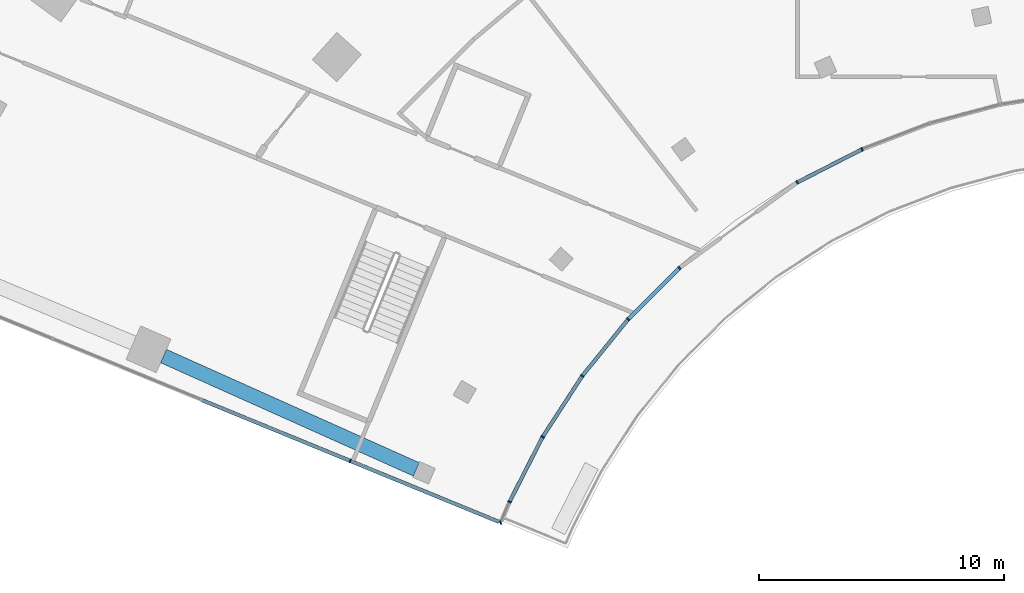
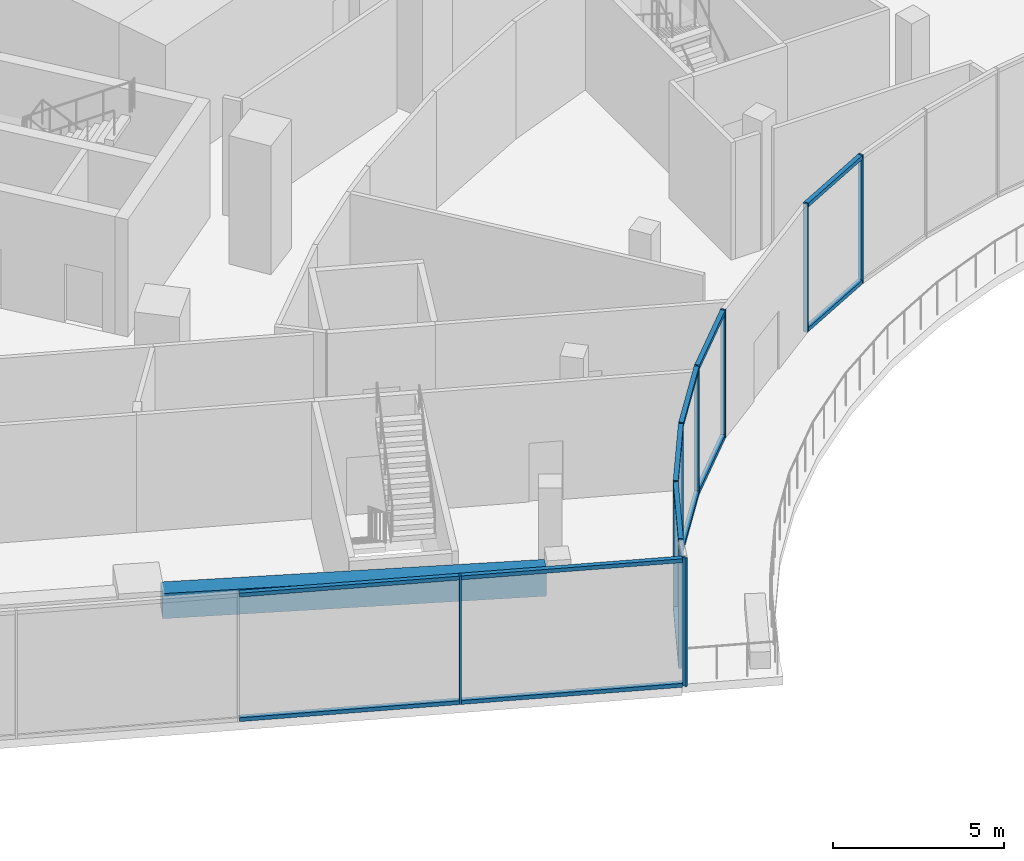
# One storey, part 4 of 39: 23 members, 1 beam, 2 elements without a shape of their own.
"""IFC4 building model written with IfcOpenShell, lengths in metres."""

from ifc_helpers import new_model, si_unit, direction, frame, origin, origin_2d, place, context, subcontext, project, spatial, rectangle, extrude, material, layer, layer_set, material_profile, profile_set, type_object, element, aggregate, save


model = new_model("IFC4")

# Units and contexts
model_context = context("Model", 3, precision=1e-05, world=origin(), true_north=direction((0.0, 1.0)))
body_context = subcontext(model_context, "Body", "Model", "MODEL_VIEW")
ifc_project = project(units=[si_unit("LENGTHUNIT", "METRE"), si_unit("AREAUNIT", "SQUARE_METRE"), si_unit("VOLUMEUNIT", "CUBIC_METRE"), si_unit("PLANEANGLEUNIT", "RADIAN"), si_unit("MASSUNIT", "GRAM", prefix="KILO")], contexts=[model_context])

# Site, building, storey
site_placement = place(None, origin())
site = spatial("IfcSite", under=ifc_project, at=site_placement, CompositionType="ELEMENT")
building_placement = place(site_placement, origin())
building = spatial("IfcBuilding", under=site, at=building_placement, Name="Stone Belt Terrace Tower", CompositionType="ELEMENT")
storey_placement = place(building_placement, frame((0.0, 0.0, 20.800048828125)))
storey = spatial("IfcBuildingStorey", under=building, at=storey_placement, Name="L04", CompositionType="ELEMENT", Elevation=20.800048828125)

# Curtain wall, members
ifc_material_1 = material(Name="Aluminium 6063-T6 anodised frame", Category="aluminium")
ifc_layer = layer(ifc_material_1, 0.14990234375)
ifc_layer_set = layer_set([ifc_layer], Name="CW-D podium shopfront")
curtain_wall_type = type_object("IfcCurtainWallType", Name="CW-D podium shopfront", PredefinedType="NOTDEFINED", material=ifc_layer_set)
curtain_wall_1_placement = place(storey_placement, origin())
curtain_wall_1 = element("IfcCurtainWall", 1, at=curtain_wall_1_placement, inside=storey, type_object=curtain_wall_type, Name="CW-D concave face L04", PredefinedType="NOTDEFINED")
ifc_material_profile_1 = material_profile(ifc_material_1, rectangle(XDim=0.14990234375, YDim=0.06005859375, at=origin_2d()), Name="Aluminium 6063-T6 60x150")
ifc_profile_set_1 = profile_set([ifc_material_profile_1], Name="Aluminium 6063-T6 anodised frame")
member_type_1 = type_object("IfcMemberType", Name="CW-D mullion 60 x 150", PredefinedType="MULLION", material=ifc_profile_set_1)
member_1_placement = place(storey_placement, frame((-26.3310546875, 10.7109375, 0.0), z_axis=(0.0, 0.0, 1.0), x_axis=(-0.379212239192, 0.925309719849, 0.0)))
member_1 = element("IfcMember", 2, at=member_1_placement, type_object=member_type_1, Name="CW-D mullion 1", PredefinedType="MULLION", context=body_context, shape_type="SweptSolid", body=[
    extrude(rectangle(XDim=0.14990234375, YDim=0.06005859375, at=origin_2d()), origin(), (0.0, 0.0, 1.0), 4.599853515625),
])
member_2_placement = place(storey_placement, frame((-25.968017578125, 11.560302734375, 0.0), z_axis=(0.0, 0.0, 1.0), x_axis=(-0.905778201442, 0.423752108895, 0.0)))
member_2 = element("IfcMember", 3, at=member_2_placement, type_object=member_type_1, Name="CW-D mullion 2", PredefinedType="MULLION", context=body_context, shape_type="SweptSolid", body=[
    extrude(rectangle(XDim=0.14990234375, YDim=0.06005859375, at=origin_2d()), origin(), (0.0, 0.0, 1.0), 4.599853515625),
])
member_3_placement = place(storey_placement, frame((-24.61669921875, 14.21240234375, 0.0), z_axis=(0.0, 0.0, 1.0), x_axis=(-0.866025403784, 0.5, 0.0)))
member_3 = element("IfcMember", 4, at=member_3_placement, type_object=member_type_1, Name="CW-D mullion 3", PredefinedType="MULLION", context=body_context, shape_type="SweptSolid", body=[
    extrude(rectangle(XDim=0.14990234375, YDim=0.06005859375, at=origin_2d()), origin(), (0.0, 0.0, 1.0), 4.599853515625),
])
member_4_placement = place(storey_placement, frame((-22.996337890625, 16.707763671875, 0.0), z_axis=(0.0, 0.0, 1.0), x_axis=(-0.809016994375, 0.587785252292, 0.0)))
member_4 = element("IfcMember", 5, at=member_4_placement, type_object=member_type_1, Name="CW-D mullion 4", PredefinedType="MULLION", context=body_context, shape_type="SweptSolid", body=[
    extrude(rectangle(XDim=0.14990234375, YDim=0.06005859375, at=origin_2d()), origin(), (0.0, 0.0, 1.0), 4.599853515625),
])
member_5_placement = place(storey_placement, frame((-21.123779296875, 19.02001953125, 0.0), z_axis=(0.0, 0.0, 1.0), x_axis=(-0.743144825477, 0.669130606359, 0.0)))
member_5 = element("IfcMember", 6, at=member_5_placement, type_object=member_type_1, Name="CW-D mullion 5", PredefinedType="MULLION", context=body_context, shape_type="SweptSolid", body=[
    extrude(rectangle(XDim=0.14990234375, YDim=0.06005859375, at=origin_2d()), origin(), (0.0, 0.0, 1.0), 4.599853515625),
])
member_6_placement = place(storey_placement, frame((-19.021484375, 21.122314453125, 0.0), z_axis=(0.0, 0.0, 1.0), x_axis=(-0.64944804833, 0.7604059656, 0.0)))
member_6 = element("IfcMember", 7, at=member_6_placement, type_object=member_type_1, Name="CW-D mullion 6", PredefinedType="MULLION", context=body_context, shape_type="SweptSolid", body=[
    extrude(rectangle(XDim=0.14990234375, YDim=0.06005859375, at=origin_2d()), origin(), (0.0, 0.0, 1.0), 4.599853515625),
])
member_7_placement = place(storey_placement, frame((-14.210693359375, 24.61767578125, 0.0), z_axis=(0.0, 0.0, 1.0), x_axis=(-0.522498564716, 0.852640164354, 0.0)))
member_7 = element("IfcMember", 8, at=member_7_placement, type_object=member_type_1, Name="CW-D mullion 7", PredefinedType="MULLION", context=body_context, shape_type="SweptSolid", body=[
    extrude(rectangle(XDim=0.14990234375, YDim=0.06005859375, at=origin_2d()), origin(), (0.0, 0.0, 1.0), 4.599853515625),
])
member_8_placement = place(storey_placement, frame((-11.5615234375, 25.967529296875, 0.0), z_axis=(0.0, 0.0, 1.0), x_axis=(-0.406736643076, 0.913545457643, 0.0)))
member_8 = element("IfcMember", 9, at=member_8_placement, type_object=member_type_1, Name="CW-D mullion 8", PredefinedType="MULLION", context=body_context, shape_type="SweptSolid", body=[
    extrude(rectangle(XDim=0.14990234375, YDim=0.06005859375, at=origin_2d()), origin(), (0.0, 0.0, 1.0), 4.599853515625),
])

# Curtain wall, member
curtain_wall_2_placement = place(storey_placement, origin())
curtain_wall_2 = element("IfcCurtainWall", 10, at=curtain_wall_2_placement, inside=storey, type_object=curtain_wall_type, Name="CW-D end face L04", PredefinedType="NOTDEFINED")
member_9_placement = place(storey_placement, frame((-32.47998046875, 13.231201171875, 0.0), z_axis=(0.0, 0.0, 1.0), x_axis=(0.379243093825, 0.925297074342, 0.0)))
member_9 = element("IfcMember", 11, at=member_9_placement, type_object=member_type_1, Name="CW-D mullion 7", PredefinedType="MULLION", context=body_context, shape_type="SweptSolid", body=[
    extrude(rectangle(XDim=0.14990234375, YDim=0.06005859375, at=origin_2d()), origin(), (0.0, 0.0, 1.0), 4.599853515625),
])

# Member
ifc_material_profile_2 = material_profile(ifc_material_1, rectangle(XDim=0.14990234375, YDim=0.139892578125, at=origin_2d()), Name="Aluminium 6063-T6 150x140")
ifc_profile_set_2 = profile_set([ifc_material_profile_2], Name="Aluminium 6063-T6 anodised frame")
member_type_2 = type_object("IfcMemberType", Name="CW-D transom 140 x 150", PredefinedType="USERDEFINED", material=ifc_profile_set_2)
member_10_placement = place(storey_placement, frame((-25.953369140625, 11.589111328125, 0.070068359375), z_axis=(0.453978557645, 0.891012608889, 0.0), x_axis=(-0.891012608889, 0.453978557645, 0.0)))
member_10 = element("IfcMember", 12, at=member_10_placement, type_object=member_type_2, Name="CW-D transom 2.1", ObjectType="TRANSOM", PredefinedType="USERDEFINED", context=body_context, shape_type="SweptSolid", body=[
    extrude(rectangle(XDim=0.14990234375, YDim=0.139892578125, at=origin_2d()), origin(), (0.0, 0.0, 1.0), 2.910400390625),
])

member_11_placement = place(storey_placement, frame((-25.953369140625, 11.589111328125, 4.530029296875), z_axis=(0.453978557645, 0.891012608889, 0.0), x_axis=(-0.891012608889, 0.453978557645, 0.0)))
member_11 = element("IfcMember", 13, at=member_11_placement, type_object=member_type_2, Name="CW-D transom 2.2", ObjectType="TRANSOM", PredefinedType="USERDEFINED", context=body_context, shape_type="SweptSolid", body=[
    extrude(rectangle(XDim=0.14990234375, YDim=0.139892578125, at=origin_2d()), origin(), (0.0, 0.0, 1.0), 2.910400390625),
])

member_12_placement = place(storey_placement, frame((-24.59814453125, 14.240966796875, 0.070068359375), z_axis=(0.544660674368, 0.838656514788, 0.0), x_axis=(-0.838656514788, 0.544660674368, 0.0)))
member_12 = element("IfcMember", 14, at=member_12_placement, type_object=member_type_2, Name="CW-D transom 3.1", ObjectType="TRANSOM", PredefinedType="USERDEFINED", context=body_context, shape_type="SweptSolid", body=[
    extrude(rectangle(XDim=0.14990234375, YDim=0.139892578125, at=origin_2d()), origin(), (0.0, 0.0, 1.0), 2.9072265625),
])

member_13_placement = place(storey_placement, frame((-24.59814453125, 14.240966796875, 4.530029296875), z_axis=(0.544660674368, 0.838656514788, 0.0), x_axis=(-0.838656514788, 0.544660674368, 0.0)))
member_13 = element("IfcMember", 15, at=member_13_placement, type_object=member_type_2, Name="CW-D transom 3.2", ObjectType="TRANSOM", PredefinedType="USERDEFINED", context=body_context, shape_type="SweptSolid", body=[
    extrude(rectangle(XDim=0.14990234375, YDim=0.139892578125, at=origin_2d()), origin(), (0.0, 0.0, 1.0), 2.9072265625),
])

member_14_placement = place(storey_placement, frame((-22.974853515625, 16.734130859375, 0.070068359375), z_axis=(0.629343149486, 0.777127531487, 0.0), x_axis=(-0.777127531487, 0.629343149486, 0.0)))
member_14 = element("IfcMember", 16, at=member_14_placement, type_object=member_type_2, Name="CW-D transom 4.1", ObjectType="TRANSOM", PredefinedType="USERDEFINED", context=body_context, shape_type="SweptSolid", body=[
    extrude(rectangle(XDim=0.14990234375, YDim=0.139892578125, at=origin_2d()), origin(), (0.0, 0.0, 1.0), 2.907470703125),
])

member_15_placement = place(storey_placement, frame((-22.974853515625, 16.734130859375, 4.530029296875), z_axis=(0.629343149486, 0.777127531487, 0.0), x_axis=(-0.777127531487, 0.629343149486, 0.0)))
member_15 = element("IfcMember", 17, at=member_15_placement, type_object=member_type_2, Name="CW-D transom 4.2", ObjectType="TRANSOM", PredefinedType="USERDEFINED", context=body_context, shape_type="SweptSolid", body=[
    extrude(rectangle(XDim=0.14990234375, YDim=0.139892578125, at=origin_2d()), origin(), (0.0, 0.0, 1.0), 2.907470703125),
])

member_16_placement = place(storey_placement, frame((-21.099853515625, 19.0439453125, 0.070068359375), z_axis=(0.707106781187, 0.707106781187, 0.0), x_axis=(-0.707106781187, 0.707106781187, 0.0)))
member_16 = element("IfcMember", 18, at=member_16_placement, type_object=member_type_2, Name="CW-D transom 5.1", ObjectType="TRANSOM", PredefinedType="USERDEFINED", context=body_context, shape_type="SweptSolid", body=[
    extrude(rectangle(XDim=0.14990234375, YDim=0.139892578125, at=origin_2d()), origin(), (0.0, 0.0, 1.0), 2.90380859375),
])

member_17_placement = place(storey_placement, frame((-21.099853515625, 19.0439453125, 4.530029296875), z_axis=(0.707106781187, 0.707106781187, 0.0), x_axis=(-0.707106781187, 0.707106781187, 0.0)))
member_17 = element("IfcMember", 19, at=member_17_placement, type_object=member_type_2, Name="CW-D transom 5.2", ObjectType="TRANSOM", PredefinedType="USERDEFINED", context=body_context, shape_type="SweptSolid", body=[
    extrude(rectangle(XDim=0.14990234375, YDim=0.139892578125, at=origin_2d()), origin(), (0.0, 0.0, 1.0), 2.90380859375),
])

member_18_placement = place(storey_placement, frame((-14.1787109375, 24.6337890625, 0.070068359375), z_axis=(0.890987517797, 0.454027799953, 0.0), x_axis=(-0.454027799953, 0.890987517797, 0.0)))
member_18 = element("IfcMember", 20, at=member_18_placement, type_object=member_type_2, Name="CW-D transom 7.1", ObjectType="TRANSOM", PredefinedType="USERDEFINED", context=body_context, shape_type="SweptSolid", body=[
    extrude(rectangle(XDim=0.14990234375, YDim=0.139892578125, at=origin_2d()), origin(), (0.0, 0.0, 1.0), 2.90380859375),
])

member_19_placement = place(storey_placement, frame((-14.1787109375, 24.6337890625, 4.530029296875), z_axis=(0.890987517797, 0.454027799953, 0.0), x_axis=(-0.454027799953, 0.890987517797, 0.0)))
member_19 = element("IfcMember", 21, at=member_19_placement, type_object=member_type_2, Name="CW-D transom 7.2", ObjectType="TRANSOM", PredefinedType="USERDEFINED", context=body_context, shape_type="SweptSolid", body=[
    extrude(rectangle(XDim=0.14990234375, YDim=0.139892578125, at=origin_2d()), origin(), (0.0, 0.0, 1.0), 2.90380859375),
])

aggregate(curtain_wall_1, [member_1, member_2, member_3, member_4, member_5, member_6, member_7, member_8, member_10, member_11, member_12, member_13, member_14, member_15, member_16, member_17, member_18, member_19])

member_20_placement = place(storey_placement, frame((-38.53271484375, 15.7119140625, 0.070068359375), z_axis=(0.925304275908, -0.379225522593, 0.0), x_axis=(0.379225522593, 0.925304275908, 0.0)))
member_20 = element("IfcMember", 22, at=member_20_placement, type_object=member_type_2, Name="CW-D transom 6.1", ObjectType="TRANSOM", PredefinedType="USERDEFINED", context=body_context, shape_type="SweptSolid", body=[
    extrude(rectangle(XDim=0.14990234375, YDim=0.139892578125, at=origin_2d()), origin(), (0.0, 0.0, 1.0), 6.51123046875),
])

member_21_placement = place(storey_placement, frame((-38.53271484375, 15.7119140625, 4.530029296875), z_axis=(0.925304275908, -0.379225522593, 0.0), x_axis=(0.379225522593, 0.925304275908, 0.0)))
member_21 = element("IfcMember", 23, at=member_21_placement, type_object=member_type_2, Name="CW-D transom 6.2", ObjectType="TRANSOM", PredefinedType="USERDEFINED", context=body_context, shape_type="SweptSolid", body=[
    extrude(rectangle(XDim=0.14990234375, YDim=0.139892578125, at=origin_2d()), origin(), (0.0, 0.0, 1.0), 6.51123046875),
])

member_22_placement = place(storey_placement, frame((-32.4521484375, 13.2197265625, 0.070068359375), z_axis=(0.925300630004, -0.37923441842, 0.0), x_axis=(0.37923441842, 0.925300630004, 0.0)))
member_22 = element("IfcMember", 24, at=member_22_placement, type_object=member_type_2, Name="CW-D transom 7.1", ObjectType="TRANSOM", PredefinedType="USERDEFINED", context=body_context, shape_type="SweptSolid", body=[
    extrude(rectangle(XDim=0.14990234375, YDim=0.139892578125, at=origin_2d()), origin(), (0.0, 0.0, 1.0), 6.541259765625),
])

member_23_placement = place(storey_placement, frame((-32.4521484375, 13.2197265625, 4.530029296875), z_axis=(0.925300630004, -0.37923441842, 0.0), x_axis=(0.37923441842, 0.925300630004, 0.0)))
member_23 = element("IfcMember", 25, at=member_23_placement, type_object=member_type_2, Name="CW-D transom 7.2", ObjectType="TRANSOM", PredefinedType="USERDEFINED", context=body_context, shape_type="SweptSolid", body=[
    extrude(rectangle(XDim=0.14990234375, YDim=0.139892578125, at=origin_2d()), origin(), (0.0, 0.0, 1.0), 6.541259765625),
])

aggregate(curtain_wall_2, [member_9, member_20, member_21, member_22, member_23])

# Beam
ifc_material_2 = material(Name="Concrete B60", Category="concrete")
ifc_material_profile_3 = material_profile(ifc_material_2, rectangle(XDim=0.60009765625, YDim=0.89990234375, at=origin_2d()), Name="RC 600x900")
ifc_profile_set_3 = profile_set([ifc_material_profile_3], Name="Concrete B60")
beam_type = type_object("IfcBeamType", Name="Edge beam RC 600x900 B60", PredefinedType="SPANDREL", material=ifc_profile_set_3)
beam_placement = place(storey_placement, frame((-29.78076171875, 12.88818359375, 3.75), z_axis=(-0.91252459094, 0.409021846519, 0.0), x_axis=(-0.409021846519, -0.91252459094, 0.0)))
element("IfcBeam", 26, at=beam_placement, inside=storey, type_object=beam_type, Name="Edge beam L04 A O to P", PredefinedType="SPANDREL", context=body_context, shape_type="SweptSolid", body=[
    extrude(rectangle(XDim=0.60009765625, YDim=0.89990234375, at=origin_2d()), origin(), (0.0, 0.0, 1.0), 11.320556640625),
])

save(model, "model.ifc")
